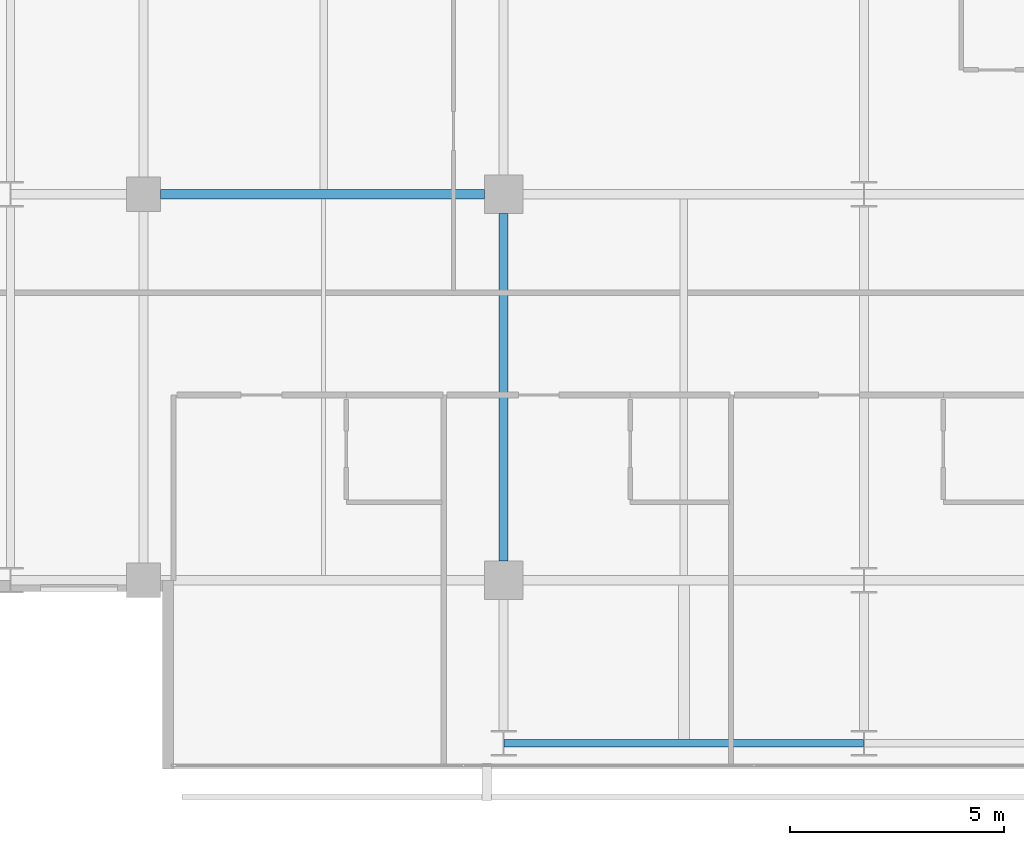
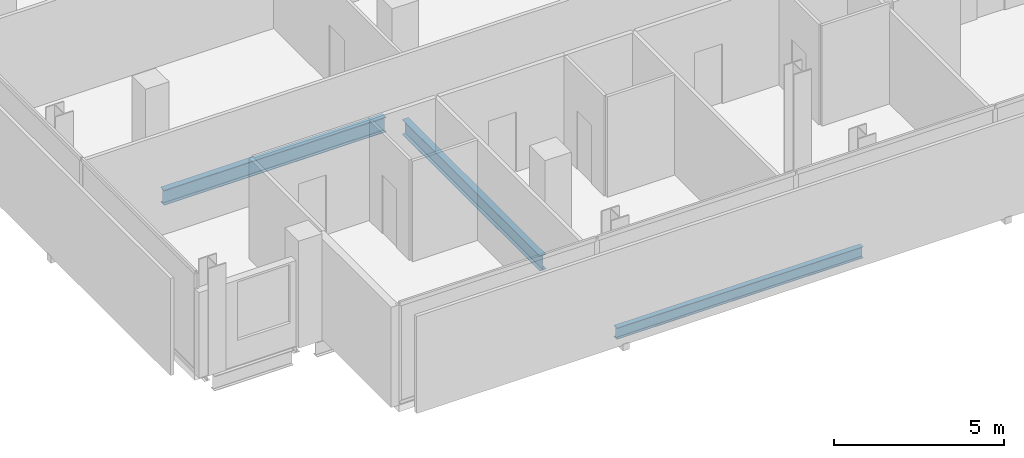
# One storey, part 5 of 33: 3 beams.
"""IFC4 building model written with IfcOpenShell, lengths in metres."""

from ifc_helpers import new_model, si_unit, direction, frame, origin, origin_2d, place, context, subcontext, project, spatial, i_section, extrude, material, material_profile, profile_set, type_object, element, save


model = new_model("IFC4")

# Units and contexts
model_context = context("Model", 3, precision=1e-05, world=origin(), true_north=direction((0.0, 1.0)))
body_context = subcontext(model_context, "Body", "Model", "MODEL_VIEW")
ifc_project = project(units=[si_unit("LENGTHUNIT", "METRE"), si_unit("AREAUNIT", "SQUARE_METRE"), si_unit("VOLUMEUNIT", "CUBIC_METRE"), si_unit("PLANEANGLEUNIT", "RADIAN"), si_unit("MASSUNIT", "GRAM", prefix="KILO")], contexts=[model_context])

# Site, building, storey
site_placement = place(None, origin())
site = spatial("IfcSite", under=ifc_project, at=site_placement, CompositionType="ELEMENT")
building_placement = place(site_placement, origin())
building = spatial("IfcBuilding", under=site, at=building_placement, Name="Maruvema Waterfront Hotel and Observation Tower", CompositionType="ELEMENT")
storey_placement = place(building_placement, frame((0.0, 0.0, 196.699951171875)))
storey = spatial("IfcBuildingStorey", under=building, at=storey_placement, Name="L48", CompositionType="ELEMENT", Elevation=196.699951171875)

# Beams
ifc_material_1 = material(Name="Steel ASTM A572 Grade 50", Category="steel")
ifc_material_profile_1 = material_profile(ifc_material_1, i_section(OverallWidth=0.178955078125, OverallDepth=0.409912109375, WebThickness=0.0087890625, FlangeThickness=0.014404296875, FilletRadius=0.014892578125, at=origin_2d()), Name="W410x67.0")
ifc_profile_set_1 = profile_set([ifc_material_profile_1], Name="Steel ASTM A572 Grade 50")
beam_type_1 = type_object("IfcBeamType", Name="Perimeter Spandrel Beam W410x67.0", PredefinedType="SPANDREL", material=ifc_profile_set_1)
beam_1_placement = place(storey_placement, frame((25.21240234375, 5.199951171875, -0.445068359375), z_axis=(1.0, 0.0, 0.0), x_axis=(0.0, 1.0, 0.0)))
element("IfcBeam", 1, at=beam_1_placement, inside=storey, type_object=beam_type_1, Name="L48 Floor Girder EW-01", PredefinedType="SPANDREL", context=body_context, shape_type="SweptSolid", body=[
    extrude(i_section(OverallWidth=0.178955078125, OverallDepth=0.409912109375, WebThickness=0.0087890625, FlangeThickness=0.014404296875, FilletRadius=0.014892578125, at=origin_2d()), origin(), (0.0, 0.0, 1.0), 8.375),
])
ifc_material_2 = material(Name="Steel ASTM A572 Grade 50", Category="steel")
ifc_material_profile_2 = material_profile(ifc_material_2, i_section(OverallWidth=0.2109375, OverallDepth=0.5390625, WebThickness=0.01171875, FlangeThickness=0.018798828125, FilletRadius=0.014892578125, at=origin_2d()), Name="W530x109.0")
ifc_profile_set_2 = profile_set([ifc_material_profile_2], Name="Steel ASTM A572 Grade 50")
beam_type_2 = type_object("IfcBeamType", Name="Primary Floor Girder W530x109.0", PredefinedType="BEAM", material=ifc_profile_set_2)
beam_2_placement = place(storey_placement, frame((17.199951171875, 18.0, -0.509521484375), z_axis=(1.0, 0.0, 0.0), x_axis=(0.0, 1.0, 0.0)))
element("IfcBeam", 2, at=beam_2_placement, inside=storey, type_object=beam_type_2, Name="L48 Floor Girder EW-12", PredefinedType="BEAM", context=body_context, shape_type="SweptSolid", body=[
    extrude(i_section(OverallWidth=0.2109375, OverallDepth=0.5390625, WebThickness=0.01171875, FlangeThickness=0.018798828125, FilletRadius=0.014892578125, at=origin_2d()), origin(), (0.0, 0.0, 1.0), 7.550048828125),
])
beam_3_placement = place(storey_placement, frame((25.199951171875, 9.449951171875, -0.509521484375), z_axis=(0.0, 1.0, 0.0), x_axis=(-1.0, 0.0, 0.0)))
element("IfcBeam", 3, at=beam_3_placement, inside=storey, type_object=beam_type_2, Name="L48 Floor Girder NS-10", PredefinedType="BEAM", context=body_context, shape_type="SweptSolid", body=[
    extrude(i_section(OverallWidth=0.2109375, OverallDepth=0.5390625, WebThickness=0.01171875, FlangeThickness=0.018798828125, FilletRadius=0.014892578125, at=origin_2d()), origin(), (0.0, 0.0, 1.0), 8.10009765625),
])

save(model, "model.ifc")
